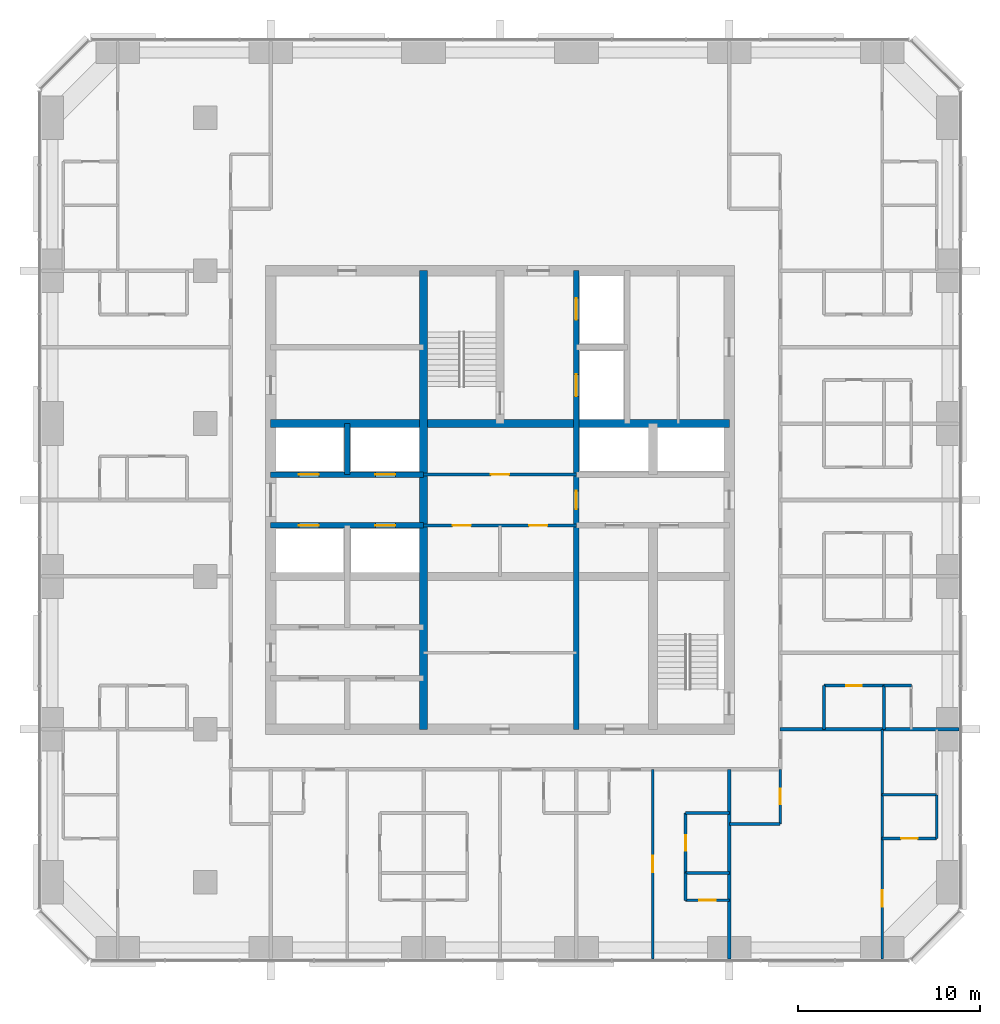
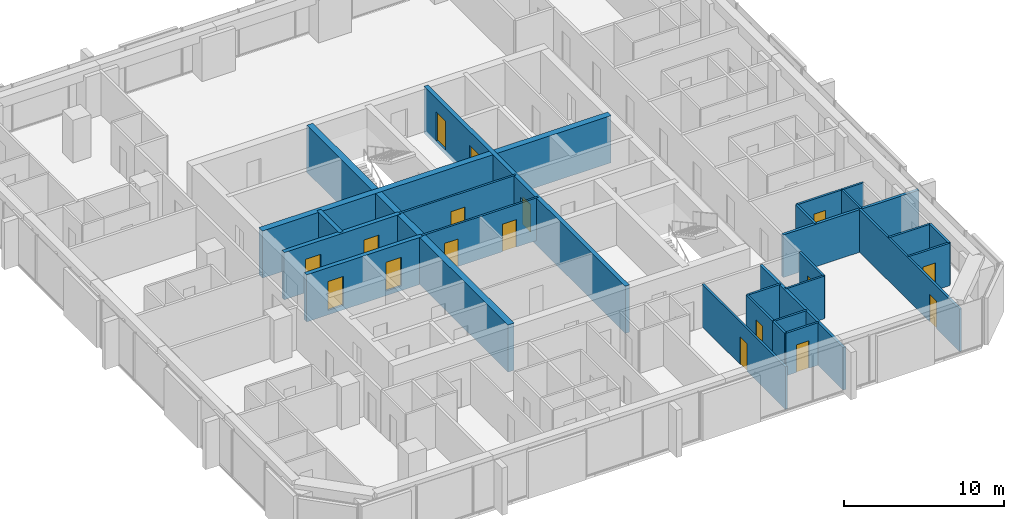
# One storey, part 10 of 14: 26 walls, 17 doors, 17 openings.
"""IFC4 building model written with IfcOpenShell, lengths in metres."""

from ifc_helpers import new_model, si_unit, direction, frame, frame_2d, origin, place, context, subcontext, project, spatial, rectangle, extrude, material, layer, layer_set, type_object, element, fill, save


model = new_model("IFC4")

# Units and contexts
model_context = context("Model", 3, precision=1e-05, world=origin(), true_north=direction((0.0, 1.0)))
body_context = subcontext(model_context, "Body", "Model", "MODEL_VIEW")
ifc_project = project(units=[si_unit("LENGTHUNIT", "METRE"), si_unit("AREAUNIT", "SQUARE_METRE"), si_unit("VOLUMEUNIT", "CUBIC_METRE"), si_unit("PLANEANGLEUNIT", "RADIAN"), si_unit("MASSUNIT", "GRAM", prefix="KILO")], contexts=[model_context])

# Site, building, storey
site_placement = place(None, origin())
site = spatial("IfcSite", under=ifc_project, at=site_placement, CompositionType="ELEMENT")
building_placement = place(site_placement, origin())
building = spatial("IfcBuilding", under=site, at=building_placement, Name="Dunama Terrace Hotel", CompositionType="ELEMENT")
storey_placement = place(building_placement, frame((0.0, 0.0, 180.60009765625)))
storey = spatial("IfcBuildingStorey", under=building, at=storey_placement, Name="L46", CompositionType="ELEMENT", Elevation=180.60009765625)

# Wall, opening, door
ifc_material_1 = material(Name="Gypsum board partition", Category="masonry")
ifc_layer_1 = layer(ifc_material_1, 0.14990234375)
ifc_layer_set_1 = layer_set([ifc_layer_1], Name="Bathroom partition 150")
wall_type_1 = type_object("IfcWallType", Name="Bathroom partition 150", PredefinedType="PARTITIONING", material=ifc_layer_set_1)
wall_1_placement = place(storey_placement, frame((39.60009765625, 8.89990234375, 0.0), z_axis=(0.0, 0.0, 1.0), x_axis=(0.0, 1.0, 0.0)))
wall_1 = element("IfcWall", 1, at=wall_1_placement, inside=storey, type_object=wall_type_1, Name="Bathroom partition 150 L46", PredefinedType="PARTITIONING", context=body_context, shape_type="SweptSolid", body=[
    extrude(rectangle(XDim=3.300048828125, YDim=0.14990234375, at=frame_2d((1.64990234375, 0.0))), origin(), (0.0, 0.0, 1.0), 3.25),
])
opening_1_placement = place(wall_1_placement, frame((1.22509765625, 0.0, 0.0)))
opening_1 = element("IfcOpeningElement", 2, at=opening_1_placement, cuts=wall_1, Name="Opening L46-47-022", PredefinedType="OPENING", context=body_context, shape_type="SweptSolid", body=[
    extrude(rectangle(XDim=0.85009765625, YDim=2.10009765625, at=frame_2d((0.425048828125, 1.050048828125))), frame((0.0, 0.0849609375, 0.0), z_axis=(0.0, -1.0, 0.0), x_axis=(1.0, 0.0, 0.0)), (0.0, 0.0, 1.0), 0.169921875),
])
ifc_material_2 = material(Name="Timber door with steel frame", Category="steel")
door_type_1 = type_object("IfcDoorType", Name="Bathroom door 850", OperationType="SINGLE_SWING_LEFT", PredefinedType="DOOR", material=ifc_material_2)
door_1_placement = place(opening_1_placement, frame((0.85009765625, 0.0, 0.0), z_axis=(0.0, 0.0, 1.0), x_axis=(-1.0, 0.0, 0.0)))
door_1 = element("IfcDoor", 3, at=door_1_placement, inside=storey, type_object=door_type_1, Name="Door to en-suite bathroom L46-47-022, type D2", OperationType="SINGLE_SWING_RIGHT", OverallHeight=2.10009765625, OverallWidth=0.85009765625, PredefinedType="DOOR", context=body_context, shape_type="SweptSolid", body=[
    extrude(rectangle(XDim=0.85009765625, YDim=2.10009765625, at=frame_2d((0.425048828125, 1.050048828125))), frame((0.0, 0.025146484375, 0.0), z_axis=(0.0, -1.0, 0.0), x_axis=(1.0, 0.0, 0.0)), (0.0, 0.0, 1.0), 0.050048828125),
])
fill(opening_1, door_1)

wall_2_placement = place(storey_placement, frame((44.800048828125, 11.60009765625, 0.0), z_axis=(0.0, 0.0, 1.0), x_axis=(0.0, 1.0, 0.0)))
wall_2 = element("IfcWall", 4, at=wall_2_placement, inside=storey, type_object=wall_type_1, Name="Bathroom partition 150 L46", PredefinedType="PARTITIONING", context=body_context, shape_type="SweptSolid", body=[
    extrude(rectangle(XDim=3.0, YDim=0.14990234375, at=frame_2d((1.5, 0.0))), origin(), (0.0, 0.0, 1.0), 3.25),
])
opening_2_placement = place(wall_2_placement, frame((1.074951171875, 0.0, 0.0)))
opening_2 = element("IfcOpeningElement", 5, at=opening_2_placement, cuts=wall_2, Name="Opening L46-47-058", PredefinedType="OPENING", context=body_context, shape_type="SweptSolid", body=[
    extrude(rectangle(XDim=0.85009765625, YDim=2.10009765625, at=frame_2d((0.425048828125, 1.050048828125))), frame((0.0, 0.0849609375, 0.0), z_axis=(0.0, -1.0, 0.0), x_axis=(1.0, 0.0, 0.0)), (0.0, 0.0, 1.0), 0.169921875),
])
door_2_placement = place(opening_2_placement, origin())
door_2 = element("IfcDoor", 6, at=door_2_placement, inside=storey, type_object=door_type_1, Name="Door to powder room L46-47-058, type D2", OperationType="SINGLE_SWING_RIGHT", OverallHeight=2.10009765625, OverallWidth=0.85009765625, PredefinedType="DOOR", context=body_context, shape_type="SweptSolid", body=[
    extrude(rectangle(XDim=0.85009765625, YDim=2.10009765625, at=frame_2d((0.425048828125, 1.050048828125))), frame((0.0, 0.02490234375, 0.0), z_axis=(0.0, -1.0, 0.0), x_axis=(1.0, 0.0, 0.0)), (0.0, 0.0, 1.0), 0.050048828125),
])
fill(opening_2, door_2)

# Walls
wall_3_placement = place(storey_placement, frame((47.199951171875, 16.800048828125, 0.0), z_axis=(0.0, 0.0, 1.0), x_axis=(0.0, 1.0, 0.0)))
element("IfcWall", 7, at=wall_3_placement, inside=storey, type_object=wall_type_1, Name="Bathroom partition 150 L46", PredefinedType="PARTITIONING", context=body_context, shape_type="SweptSolid", body=[
    extrude(rectangle(XDim=2.39990234375, YDim=0.14990234375, at=frame_2d((1.199951171875, 0.0))), origin(), (0.0, 0.0, 1.0), 3.25),
])
wall_4_placement = place(storey_placement, frame((42.0, 11.60009765625, 0.0), z_axis=(0.0, 0.0, 1.0), x_axis=(1.0, 0.0, 0.0)))
element("IfcWall", 8, at=wall_4_placement, inside=storey, type_object=wall_type_1, Name="Bathroom partition 150 L46", PredefinedType="PARTITIONING", context=body_context, shape_type="SweptSolid", body=[
    extrude(rectangle(XDim=2.800048828125, YDim=0.14990234375, at=frame_2d((1.39990234375, 0.0))), origin(), (0.0, 0.0, 1.0), 3.25),
])
wall_5_placement = place(storey_placement, frame((39.60009765625, 12.199951171875, 0.0), z_axis=(0.0, 0.0, 1.0), x_axis=(1.0, 0.0, 0.0)))
element("IfcWall", 9, at=wall_5_placement, inside=storey, type_object=wall_type_1, Name="Bathroom partition 150 L46", PredefinedType="PARTITIONING", context=body_context, shape_type="SweptSolid", body=[
    extrude(rectangle(XDim=2.39990234375, YDim=0.14990234375, at=frame_2d((1.199951171875, 0.0))), origin(), (0.0, 0.0, 1.0), 3.25),
])

# Wall, opening, door
wall_6_placement = place(storey_placement, frame((47.199951171875, 19.199951171875, 0.0), z_axis=(0.0, 0.0, 1.0), x_axis=(1.0, 0.0, 0.0)))
wall_6 = element("IfcWall", 10, at=wall_6_placement, inside=storey, type_object=wall_type_1, Name="Bathroom partition 150 L46", PredefinedType="PARTITIONING", context=body_context, shape_type="SweptSolid", body=[
    extrude(rectangle(XDim=3.300048828125, YDim=0.14990234375, at=frame_2d((1.64990234375, 0.0))), origin(), (0.0, 0.0, 1.0), 3.25),
])
opening_3_placement = place(wall_6_placement, frame((1.22509765625, 0.0, 0.0)))
opening_3 = element("IfcOpeningElement", 11, at=opening_3_placement, cuts=wall_6, Name="Opening L46-47-025", PredefinedType="OPENING", context=body_context, shape_type="SweptSolid", body=[
    extrude(rectangle(XDim=0.85009765625, YDim=2.10009765625, at=frame_2d((0.425048828125, 1.050048828125))), frame((0.0, 0.0849609375, 0.0), z_axis=(0.0, -1.0, 0.0), x_axis=(1.0, 0.0, 0.0)), (0.0, 0.0, 1.0), 0.169921875),
])
door_3_placement = place(opening_3_placement, frame((0.85009765625, 0.0, 0.0), z_axis=(0.0, 0.0, 1.0), x_axis=(-1.0, 0.0, 0.0)))
door_3 = element("IfcDoor", 12, at=door_3_placement, inside=storey, type_object=door_type_1, Name="Door to en-suite bathroom L46-47-025, type D2", OperationType="SINGLE_SWING_LEFT", OverallHeight=2.10009765625, OverallWidth=0.85009765625, PredefinedType="DOOR", context=body_context, shape_type="SweptSolid", body=[
    extrude(rectangle(XDim=0.85009765625, YDim=2.10009765625, at=frame_2d((0.425048828125, 1.050048828125))), frame((0.0, 0.025146484375, 0.0), z_axis=(0.0, -1.0, 0.0), x_axis=(1.0, 0.0, 0.0)), (0.0, 0.0, 1.0), 0.050048828125),
])
fill(opening_3, door_3)

# Wall
ifc_material_3 = material(Name="Concrete C50/60", Category="concrete")
ifc_layer_2 = layer(ifc_material_3, 0.300048828125)
ifc_layer_set_2 = layer_set([ifc_layer_2], Name="Core inner wall 300")
wall_type_2 = type_object("IfcWallType", Name="Core inner wall 300", PredefinedType="SHEAR", material=ifc_layer_set_2)
wall_7_placement = place(storey_placement, frame((21.0, 30.800048828125, -0.35009765625), z_axis=(0.0, 0.0, 1.0), x_axis=(0.0, 1.0, 0.0)))
element("IfcWall", 13, at=wall_7_placement, inside=storey, type_object=wall_type_2, Name="Core inner wall 300 L46", PredefinedType="SHEAR", context=body_context, shape_type="SweptSolid", body=[
    extrude(rectangle(XDim=2.800048828125, YDim=0.300048828125, at=frame_2d((1.39990234375, 0.0))), origin(), (0.0, 0.0, 1.0), 3.60009765625),
])

# Wall, openings, doors
wall_8_placement = place(storey_placement, frame((33.60009765625, 16.800048828125, -0.35009765625), z_axis=(0.0, 0.0, 1.0), x_axis=(0.0, 1.0, 0.0)))
wall_8 = element("IfcWall", 14, at=wall_8_placement, inside=storey, type_object=wall_type_2, Name="Core inner wall 300 L46", PredefinedType="SHEAR", context=body_context, shape_type="SweptSolid", body=[
    extrude(rectangle(XDim=25.199951171875, YDim=0.300048828125, at=frame_2d((12.60009765625, 0.0))), origin(), (0.0, 0.0, 1.0), 3.60009765625),
])
opening_4_placement = place(wall_8_placement, frame((22.5, 0.0, 0.35009765625)))
opening_4 = element("IfcOpeningElement", 15, at=opening_4_placement, cuts=wall_8, Name="Opening L46-47-007", PredefinedType="OPENING", context=body_context, shape_type="SweptSolid", body=[
    extrude(rectangle(XDim=1.199951171875, YDim=2.199951171875, at=frame_2d((0.60009765625, 1.10009765625))), frame((0.0, 0.159912109375, 0.0), z_axis=(0.0, -1.0, 0.0), x_axis=(1.0, 0.0, 0.0)), (0.0, 0.0, 1.0), 0.320068359375),
])
opening_5_placement = place(wall_8_placement, frame((18.300048828125, 0.0, 0.35009765625)))
opening_5 = element("IfcOpeningElement", 16, at=opening_5_placement, cuts=wall_8, Name="Opening L46-47-008", PredefinedType="OPENING", context=body_context, shape_type="SweptSolid", body=[
    extrude(rectangle(XDim=1.199951171875, YDim=2.199951171875, at=frame_2d((0.60009765625, 1.10009765625))), frame((0.0, 0.159912109375, 0.0), z_axis=(0.0, -1.0, 0.0), x_axis=(1.0, 0.0, 0.0)), (0.0, 0.0, 1.0), 0.320068359375),
])
opening_6_placement = place(wall_8_placement, frame((12.10009765625, 0.0, 0.35009765625)))
opening_6 = element("IfcOpeningElement", 17, at=opening_6_placement, cuts=wall_8, Name="Opening L46-47-080", PredefinedType="OPENING", context=body_context, shape_type="SweptSolid", body=[
    extrude(rectangle(XDim=1.0, YDim=2.10009765625, at=frame_2d((0.5, 1.050048828125))), frame((0.0, 0.159912109375, 0.0), z_axis=(0.0, -1.0, 0.0), x_axis=(1.0, 0.0, 0.0)), (0.0, 0.0, 1.0), 0.320068359375),
])
ifc_material_4 = material(Name="Stainless steel lift door", Category="steel")
door_type_2 = type_object("IfcDoorType", Name="Firefighting lift landing door 1200", OperationType="DOUBLE_DOOR_SLIDING", PredefinedType="DOOR", material=ifc_material_4)
door_4_placement = place(opening_4_placement, origin())
door_4 = element("IfcDoor", 18, at=door_4_placement, inside=storey, type_object=door_type_2, Name="Landing door FL1 L46-47-007, type LD2", OperationType="DOUBLE_DOOR_SLIDING", OverallHeight=2.199951171875, OverallWidth=1.199951171875, PredefinedType="DOOR", context=body_context, shape_type="SweptSolid", body=[
    extrude(rectangle(XDim=1.199951171875, YDim=2.199951171875, at=frame_2d((0.60009765625, 1.10009765625))), frame((0.0, 0.02490234375, 0.0), z_axis=(0.0, -1.0, 0.0), x_axis=(1.0, 0.0, 0.0)), (0.0, 0.0, 1.0), 0.050048828125),
])
fill(opening_4, door_4)
door_5_placement = place(opening_5_placement, origin())
door_5 = element("IfcDoor", 19, at=door_5_placement, inside=storey, type_object=door_type_2, Name="Landing door FL2 L46-47-008, type LD2", OperationType="DOUBLE_DOOR_SLIDING", OverallHeight=2.199951171875, OverallWidth=1.199951171875, PredefinedType="DOOR", context=body_context, shape_type="SweptSolid", body=[
    extrude(rectangle(XDim=1.199951171875, YDim=2.199951171875, at=frame_2d((0.60009765625, 1.10009765625))), frame((0.0, 0.02490234375, 0.0), z_axis=(0.0, -1.0, 0.0), x_axis=(1.0, 0.0, 0.0)), (0.0, 0.0, 1.0), 0.050048828125),
])
fill(opening_5, door_5)
ifc_material_5 = material(Name="Timber door with steel frame", Category="steel")
door_type_3 = type_object("IfcDoorType", Name="Service door 1000", OperationType="SINGLE_SWING_LEFT", PredefinedType="DOOR", material=ifc_material_5)
door_6_placement = place(opening_6_placement, origin())
door_6 = element("IfcDoor", 20, at=door_6_placement, inside=storey, type_object=door_type_3, Name="Door to staff passage L46-47-080, type D7", OperationType="SINGLE_SWING_LEFT", OverallHeight=2.10009765625, OverallWidth=1.0, PredefinedType="DOOR", context=body_context, shape_type="SweptSolid", body=[
    extrude(rectangle(XDim=1.0, YDim=2.10009765625, at=frame_2d((0.5, 1.050048828125))), frame((0.0, 0.02490234375, 0.0), z_axis=(0.0, -1.0, 0.0), x_axis=(1.0, 0.0, 0.0)), (0.0, 0.0, 1.0), 0.050048828125),
])
fill(opening_6, door_6)

wall_9_placement = place(storey_placement, frame((16.800048828125, 28.0, -0.35009765625), z_axis=(0.0, 0.0, 1.0), x_axis=(1.0, 0.0, 0.0)))
wall_9 = element("IfcWall", 21, at=wall_9_placement, inside=storey, type_object=wall_type_2, Name="Core inner wall 300 L46", PredefinedType="SHEAR", context=body_context, shape_type="SweptSolid", body=[
    extrude(rectangle(XDim=8.39990234375, YDim=0.300048828125, at=frame_2d((4.199951171875, 0.0))), origin(), (0.0, 0.0, 1.0), 3.60009765625),
])
opening_7_placement = place(wall_9_placement, frame((1.550048828125, 0.0, 0.35009765625)))
opening_7 = element("IfcOpeningElement", 22, at=opening_7_placement, cuts=wall_9, Name="Opening L46-47-003", PredefinedType="OPENING", context=body_context, shape_type="SweptSolid", body=[
    extrude(rectangle(XDim=1.10009765625, YDim=2.199951171875, at=frame_2d((0.550048828125, 1.10009765625))), frame((0.0, 0.159912109375, 0.0), z_axis=(0.0, -1.0, 0.0), x_axis=(1.0, 0.0, 0.0)), (0.0, 0.0, 1.0), 0.320068359375),
])
opening_8_placement = place(wall_9_placement, frame((5.75, 0.0, 0.35009765625)))
opening_8 = element("IfcOpeningElement", 23, at=opening_8_placement, cuts=wall_9, Name="Opening L46-47-004", PredefinedType="OPENING", context=body_context, shape_type="SweptSolid", body=[
    extrude(rectangle(XDim=1.10009765625, YDim=2.199951171875, at=frame_2d((0.550048828125, 1.10009765625))), frame((0.0, 0.159912109375, 0.0), z_axis=(0.0, -1.0, 0.0), x_axis=(1.0, 0.0, 0.0)), (0.0, 0.0, 1.0), 0.320068359375),
])
ifc_material_6 = material(Name="Stainless steel lift door", Category="steel")
door_type_4 = type_object("IfcDoorType", Name="Lift landing door 1100", OperationType="DOUBLE_DOOR_SLIDING", PredefinedType="DOOR", material=ifc_material_6)
door_7_placement = place(opening_7_placement, origin())
door_7 = element("IfcDoor", 24, at=door_7_placement, inside=storey, type_object=door_type_4, Name="Landing door PC1 L46-47-003, type LD1", OperationType="DOUBLE_DOOR_SLIDING", OverallHeight=2.199951171875, OverallWidth=1.10009765625, PredefinedType="DOOR", context=body_context, shape_type="SweptSolid", body=[
    extrude(rectangle(XDim=1.10009765625, YDim=2.199951171875, at=frame_2d((0.550048828125, 1.10009765625))), frame((0.0, 0.02490234375, 0.0), z_axis=(0.0, -1.0, 0.0), x_axis=(1.0, 0.0, 0.0)), (0.0, 0.0, 1.0), 0.050048828125),
])
fill(opening_7, door_7)
door_8_placement = place(opening_8_placement, origin())
door_8 = element("IfcDoor", 25, at=door_8_placement, inside=storey, type_object=door_type_4, Name="Landing door PC2 L46-47-004, type LD1", OperationType="DOUBLE_DOOR_SLIDING", OverallHeight=2.199951171875, OverallWidth=1.10009765625, PredefinedType="DOOR", context=body_context, shape_type="SweptSolid", body=[
    extrude(rectangle(XDim=1.10009765625, YDim=2.199951171875, at=frame_2d((0.550048828125, 1.10009765625))), frame((0.0, 0.02490234375, 0.0), z_axis=(0.0, -1.0, 0.0), x_axis=(1.0, 0.0, 0.0)), (0.0, 0.0, 1.0), 0.050048828125),
])
fill(opening_8, door_8)

wall_10_placement = place(storey_placement, frame((16.800048828125, 30.800048828125, -0.35009765625), z_axis=(0.0, 0.0, 1.0), x_axis=(1.0, 0.0, 0.0)))
wall_10 = element("IfcWall", 26, at=wall_10_placement, inside=storey, type_object=wall_type_2, Name="Core inner wall 300 L46", PredefinedType="SHEAR", context=body_context, shape_type="SweptSolid", body=[
    extrude(rectangle(XDim=8.39990234375, YDim=0.300048828125, at=frame_2d((4.199951171875, 0.0))), origin(), (0.0, 0.0, 1.0), 3.60009765625),
])
opening_9_placement = place(wall_10_placement, frame((1.550048828125, 0.0, 0.35009765625)))
opening_9 = element("IfcOpeningElement", 27, at=opening_9_placement, cuts=wall_10, Name="Opening L46-47-005", PredefinedType="OPENING", context=body_context, shape_type="SweptSolid", body=[
    extrude(rectangle(XDim=1.10009765625, YDim=2.199951171875, at=frame_2d((0.550048828125, 1.10009765625))), frame((0.0, 0.159912109375, 0.0), z_axis=(0.0, -1.0, 0.0), x_axis=(1.0, 0.0, 0.0)), (0.0, 0.0, 1.0), 0.320068359375),
])
opening_10_placement = place(wall_10_placement, frame((5.75, 0.0, 0.35009765625)))
opening_10 = element("IfcOpeningElement", 28, at=opening_10_placement, cuts=wall_10, Name="Opening L46-47-006", PredefinedType="OPENING", context=body_context, shape_type="SweptSolid", body=[
    extrude(rectangle(XDim=1.10009765625, YDim=2.199951171875, at=frame_2d((0.550048828125, 1.10009765625))), frame((0.0, 0.159912109375, 0.0), z_axis=(0.0, -1.0, 0.0), x_axis=(1.0, 0.0, 0.0)), (0.0, 0.0, 1.0), 0.320068359375),
])
door_9_placement = place(opening_9_placement, origin())
door_9 = element("IfcDoor", 29, at=door_9_placement, inside=storey, type_object=door_type_4, Name="Landing door PC3 L46-47-005, type LD1", OperationType="DOUBLE_DOOR_SLIDING", OverallHeight=2.199951171875, OverallWidth=1.10009765625, PredefinedType="DOOR", context=body_context, shape_type="SweptSolid", body=[
    extrude(rectangle(XDim=1.10009765625, YDim=2.199951171875, at=frame_2d((0.550048828125, 1.10009765625))), frame((0.0, 0.02490234375, 0.0), z_axis=(0.0, -1.0, 0.0), x_axis=(1.0, 0.0, 0.0)), (0.0, 0.0, 1.0), 0.050048828125),
])
fill(opening_9, door_9)
door_10_placement = place(opening_10_placement, origin())
door_10 = element("IfcDoor", 30, at=door_10_placement, inside=storey, type_object=door_type_4, Name="Landing door PC4 L46-47-006, type LD1", OperationType="DOUBLE_DOOR_SLIDING", OverallHeight=2.199951171875, OverallWidth=1.10009765625, PredefinedType="DOOR", context=body_context, shape_type="SweptSolid", body=[
    extrude(rectangle(XDim=1.10009765625, YDim=2.199951171875, at=frame_2d((0.550048828125, 1.10009765625))), frame((0.0, 0.02490234375, 0.0), z_axis=(0.0, -1.0, 0.0), x_axis=(1.0, 0.0, 0.0)), (0.0, 0.0, 1.0), 0.050048828125),
])
fill(opening_10, door_10)

# Walls
ifc_material_7 = material(Name="Concrete C50/60", Category="concrete")
ifc_layer_3 = layer(ifc_material_7, 0.449951171875)
ifc_layer_set_3 = layer_set([ifc_layer_3], Name="Core inner wall 450")
wall_type_3 = type_object("IfcWallType", Name="Core inner wall 450", PredefinedType="SHEAR", material=ifc_layer_set_3)
for number, where, z_axis, x_axis, name in (
    (31, (25.199951171875, 16.800048828125, -0.35009765625), (0.0, 0.0, 1.0), (0.0, 1.0, 0.0), "Core inner wall 450 L46"),
    (32, (16.800048828125, 33.60009765625, -0.35009765625), (0.0, 0.0, 1.0), (1.0, 0.0, 0.0), "Core inner wall 450 L46"),
):
    element("IfcWall", number, at=place(storey_placement, frame(where, z_axis=z_axis, x_axis=x_axis)), inside=storey, type_object=wall_type_3, Name=name, PredefinedType="SHEAR", context=body_context, shape_type="SweptSolid", body=[
        extrude(rectangle(XDim=25.199951171875, YDim=0.449951171875, at=frame_2d((12.60009765625, 0.0))), origin(), (0.0, 0.0, 1.0), 3.60009765625),
    ])
ifc_material_8 = material(Name="Concrete blockwork", Category="masonry")
ifc_layer_4 = layer(ifc_material_8, 0.199951171875)
ifc_layer_set_4 = layer_set([ifc_layer_4], Name="Party wall 200")
wall_type_4 = type_object("IfcWallType", Name="Party wall 200", PredefinedType="PARTITIONING", material=ifc_layer_set_4)
wall_11_placement = place(storey_placement, frame((42.0, 4.181884765625, 0.0), z_axis=(0.0, 0.0, 1.0), x_axis=(0.0, 1.0, 0.0)))
element("IfcWall", 33, at=wall_11_placement, inside=storey, type_object=wall_type_4, Name="Party wall 200 L46", PredefinedType="PARTITIONING", context=body_context, shape_type="SweptSolid", body=[
    extrude(rectangle(XDim=10.418212890625, YDim=0.199951171875, at=frame_2d((5.208984375, 0.0))), origin(), (0.0, 0.0, 1.0), 3.25),
])
wall_12_placement = place(storey_placement, frame((44.800048828125, 16.800048828125, 0.0), z_axis=(0.0, 0.0, 1.0), x_axis=(1.0, 0.0, 0.0)))
element("IfcWall", 34, at=wall_12_placement, inside=storey, type_object=wall_type_4, Name="Party wall 200 L46", PredefinedType="PARTITIONING", context=body_context, shape_type="SweptSolid", body=[
    extrude(rectangle(XDim=9.81787109375, YDim=0.199951171875, at=frame_2d((4.908935546875, 0.0))), origin(), (0.0, 0.0, 1.0), 3.25),
])

# Wall, opening, door
ifc_material_9 = material(Name="Gypsum board partition", Category="masonry")
ifc_layer_5 = layer(ifc_material_9, 0.14990234375)
ifc_layer_set_5 = layer_set([ifc_layer_5], Name="Room partition 150")
wall_type_5 = type_object("IfcWallType", Name="Room partition 150", PredefinedType="PARTITIONING", material=ifc_layer_set_5)
wall_13_placement = place(storey_placement, frame((37.800048828125, 4.181884765625, 0.0), z_axis=(0.0, 0.0, 1.0), x_axis=(0.0, 1.0, 0.0)))
wall_13 = element("IfcWall", 35, at=wall_13_placement, inside=storey, type_object=wall_type_5, Name="Room partition 150 L46", PredefinedType="PARTITIONING", context=body_context, shape_type="SweptSolid", body=[
    extrude(rectangle(XDim=10.418212890625, YDim=0.14990234375, at=frame_2d((5.208984375, 0.0))), origin(), (0.0, 0.0, 1.0), 3.25),
])
opening_11_placement = place(wall_13_placement, frame((4.76806640625, 0.0, 0.0)))
opening_11 = element("IfcOpeningElement", 36, at=opening_11_placement, cuts=wall_13, Name="Opening L46-47-021", PredefinedType="OPENING", context=body_context, shape_type="SweptSolid", body=[
    extrude(rectangle(XDim=0.89990234375, YDim=2.10009765625, at=frame_2d((0.449951171875, 1.050048828125))), frame((0.0, 0.0849609375, 0.0), z_axis=(0.0, -1.0, 0.0), x_axis=(1.0, 0.0, 0.0)), (0.0, 0.0, 1.0), 0.169921875),
])
ifc_material_10 = material(Name="Timber door with steel frame", Category="steel")
door_type_5 = type_object("IfcDoorType", Name="Suite internal door 900", OperationType="SINGLE_SWING_LEFT", PredefinedType="DOOR", material=ifc_material_10)
door_11_placement = place(opening_11_placement, frame((0.89990234375, 0.0, 0.0), z_axis=(0.0, 0.0, 1.0), x_axis=(-1.0, 0.0, 0.0)))
door_11 = element("IfcDoor", 37, at=door_11_placement, inside=storey, type_object=door_type_5, Name="Door to executive club suite bedroom L46-47-021, type D16", OperationType="SINGLE_SWING_RIGHT", OverallHeight=2.10009765625, OverallWidth=0.89990234375, PredefinedType="DOOR", context=body_context, shape_type="SweptSolid", body=[
    extrude(rectangle(XDim=0.89990234375, YDim=2.10009765625, at=frame_2d((0.449951171875, 1.050048828125))), frame((0.0, 0.025146484375, 0.0), z_axis=(0.0, -1.0, 0.0), x_axis=(1.0, 0.0, 0.0)), (0.0, 0.0, 1.0), 0.050048828125),
])
fill(opening_11, door_11)

# Wall
wall_14_placement = place(storey_placement, frame((39.60009765625, 7.39990234375, 0.0), z_axis=(0.0, 0.0, 1.0), x_axis=(0.0, 1.0, 0.0)))
element("IfcWall", 38, at=wall_14_placement, inside=storey, type_object=wall_type_5, Name="Room partition 150 L46", PredefinedType="PARTITIONING", context=body_context, shape_type="SweptSolid", body=[
    extrude(rectangle(XDim=1.5, YDim=0.14990234375, at=frame_2d((0.75, 0.0))), origin(), (0.0, 0.0, 1.0), 3.25),
])

# Wall, opening, door
wall_15_placement = place(storey_placement, frame((50.39990234375, 4.181884765625, 0.0), z_axis=(0.0, 0.0, 1.0), x_axis=(0.0, 1.0, 0.0)))
wall_15 = element("IfcWall", 39, at=wall_15_placement, inside=storey, type_object=wall_type_5, Name="Room partition 150 L46", PredefinedType="PARTITIONING", context=body_context, shape_type="SweptSolid", body=[
    extrude(rectangle(XDim=12.6181640625, YDim=0.14990234375, at=frame_2d((6.30908203125, 0.0))), origin(), (0.0, 0.0, 1.0), 3.25),
])
opening_12_placement = place(wall_15_placement, frame((2.867919921875, 0.0, 0.0)))
opening_12 = element("IfcOpeningElement", 40, at=opening_12_placement, cuts=wall_15, Name="Opening L46-47-059", PredefinedType="OPENING", context=body_context, shape_type="SweptSolid", body=[
    extrude(rectangle(XDim=0.89990234375, YDim=2.10009765625, at=frame_2d((0.449951171875, 1.050048828125))), frame((0.0, 0.0849609375, 0.0), z_axis=(0.0, -1.0, 0.0), x_axis=(1.0, 0.0, 0.0)), (0.0, 0.0, 1.0), 0.169921875),
])
door_12_placement = place(opening_12_placement, frame((0.89990234375, 0.0, 0.0), z_axis=(0.0, 0.0, 1.0), x_axis=(-1.0, 0.0, 0.0)))
door_12 = element("IfcDoor", 41, at=door_12_placement, inside=storey, type_object=door_type_5, Name="Door to corner suite bedroom L46-47-059, type D16", OperationType="SINGLE_SWING_RIGHT", OverallHeight=2.10009765625, OverallWidth=0.89990234375, PredefinedType="DOOR", context=body_context, shape_type="SweptSolid", body=[
    extrude(rectangle(XDim=0.89990234375, YDim=2.10009765625, at=frame_2d((0.449951171875, 1.050048828125))), frame((0.0, 0.025146484375, 0.0), z_axis=(0.0, -1.0, 0.0), x_axis=(1.0, 0.0, 0.0)), (0.0, 0.0, 1.0), 0.050048828125),
])
fill(opening_12, door_12)

# Walls
for number, where, z_axis, x_axis, name in (
    (42, (50.5, 16.800048828125, 0.0), (0.0, 0.0, 1.0), (0.0, 1.0, 0.0), "Room partition 150 L46"),
    (43, (53.39990234375, 10.800048828125, 0.0), (0.0, 0.0, 1.0), (0.0, 1.0, 0.0), "Room partition 150 L46"),
):
    element("IfcWall", number, at=place(storey_placement, frame(where, z_axis=z_axis, x_axis=x_axis)), inside=storey, type_object=wall_type_5, Name=name, PredefinedType="PARTITIONING", context=body_context, shape_type="SweptSolid", body=[
        extrude(rectangle(XDim=2.39990234375, YDim=0.14990234375, at=frame_2d((1.199951171875, 0.0))), origin(), (0.0, 0.0, 1.0), 3.25),
    ])

# Wall, opening, door
wall_16_placement = place(storey_placement, frame((39.60009765625, 7.39990234375, 0.0), z_axis=(0.0, 0.0, 1.0), x_axis=(1.0, 0.0, 0.0)))
wall_16 = element("IfcWall", 44, at=wall_16_placement, inside=storey, type_object=wall_type_5, Name="Room partition 150 L46", PredefinedType="PARTITIONING", context=body_context, shape_type="SweptSolid", body=[
    extrude(rectangle(XDim=2.39990234375, YDim=0.14990234375, at=frame_2d((1.199951171875, 0.0))), origin(), (0.0, 0.0, 1.0), 3.25),
])
opening_13_placement = place(wall_16_placement, frame((0.75, 0.0, 0.0)))
opening_13 = element("IfcOpeningElement", 45, at=opening_13_placement, cuts=wall_16, Name="Opening L46-47-023", PredefinedType="OPENING", context=body_context, shape_type="SweptSolid", body=[
    extrude(rectangle(XDim=0.89990234375, YDim=2.10009765625, at=frame_2d((0.449951171875, 1.050048828125))), frame((0.0, 0.0849609375, 0.0), z_axis=(0.0, -1.0, 0.0), x_axis=(1.0, 0.0, 0.0)), (0.0, 0.0, 1.0), 0.169921875),
])
door_13_placement = place(opening_13_placement, origin())
door_13 = element("IfcDoor", 46, at=door_13_placement, inside=storey, type_object=door_type_5, Name="Door to walk-in wardrobe L46-47-023, type D16", OperationType="SINGLE_SWING_LEFT", OverallHeight=2.10009765625, OverallWidth=0.89990234375, PredefinedType="DOOR", context=body_context, shape_type="SweptSolid", body=[
    extrude(rectangle(XDim=0.89990234375, YDim=2.10009765625, at=frame_2d((0.449951171875, 1.050048828125))), frame((0.0, 0.02490234375, 0.0), z_axis=(0.0, -1.0, 0.0), x_axis=(1.0, 0.0, 0.0)), (0.0, 0.0, 1.0), 0.050048828125),
])
fill(opening_13, door_13)

# Wall
wall_17_placement = place(storey_placement, frame((39.60009765625, 8.89990234375, 0.0), z_axis=(0.0, 0.0, 1.0), x_axis=(1.0, 0.0, 0.0)))
element("IfcWall", 47, at=wall_17_placement, inside=storey, type_object=wall_type_5, Name="Room partition 150 L46", PredefinedType="PARTITIONING", context=body_context, shape_type="SweptSolid", body=[
    extrude(rectangle(XDim=2.39990234375, YDim=0.14990234375, at=frame_2d((1.199951171875, 0.0))), origin(), (0.0, 0.0, 1.0), 3.25),
])

# Wall, opening, door
wall_18_placement = place(storey_placement, frame((50.39990234375, 10.800048828125, 0.0), z_axis=(0.0, 0.0, 1.0), x_axis=(1.0, 0.0, 0.0)))
wall_18 = element("IfcWall", 48, at=wall_18_placement, inside=storey, type_object=wall_type_5, Name="Room partition 150 L46", PredefinedType="PARTITIONING", context=body_context, shape_type="SweptSolid", body=[
    extrude(rectangle(XDim=3.0, YDim=0.14990234375, at=frame_2d((1.5, 0.0))), origin(), (0.0, 0.0, 1.0), 3.25),
])
opening_14_placement = place(wall_18_placement, frame((1.050048828125, 0.0, 0.0)))
opening_14 = element("IfcOpeningElement", 49, at=opening_14_placement, cuts=wall_18, Name="Opening L46-47-061", PredefinedType="OPENING", context=body_context, shape_type="SweptSolid", body=[
    extrude(rectangle(XDim=0.89990234375, YDim=2.10009765625, at=frame_2d((0.449951171875, 1.050048828125))), frame((0.0, 0.0849609375, 0.0), z_axis=(0.0, -1.0, 0.0), x_axis=(1.0, 0.0, 0.0)), (0.0, 0.0, 1.0), 0.169921875),
])
door_14_placement = place(opening_14_placement, origin())
door_14 = element("IfcDoor", 50, at=door_14_placement, inside=storey, type_object=door_type_5, Name="Door to dressing room L46-47-061, type D16", OperationType="SINGLE_SWING_LEFT", OverallHeight=2.10009765625, OverallWidth=0.89990234375, PredefinedType="DOOR", context=body_context, shape_type="SweptSolid", body=[
    extrude(rectangle(XDim=0.89990234375, YDim=2.10009765625, at=frame_2d((0.449951171875, 1.050048828125))), frame((0.0, 0.02490234375, 0.0), z_axis=(0.0, -1.0, 0.0), x_axis=(1.0, 0.0, 0.0)), (0.0, 0.0, 1.0), 0.050048828125),
])
fill(opening_14, door_14)

# Walls
wall_19_placement = place(storey_placement, frame((50.39990234375, 13.199951171875, 0.0), z_axis=(0.0, 0.0, 1.0), x_axis=(1.0, 0.0, 0.0)))
element("IfcWall", 51, at=wall_19_placement, inside=storey, type_object=wall_type_5, Name="Room partition 150 L46", PredefinedType="PARTITIONING", context=body_context, shape_type="SweptSolid", body=[
    extrude(rectangle(XDim=3.0, YDim=0.14990234375, at=frame_2d((1.5, 0.0))), origin(), (0.0, 0.0, 1.0), 3.25),
])
wall_20_placement = place(storey_placement, frame((50.5, 19.199951171875, 0.0), z_axis=(0.0, 0.0, 1.0), x_axis=(1.0, 0.0, 0.0)))
element("IfcWall", 52, at=wall_20_placement, inside=storey, type_object=wall_type_5, Name="Room partition 150 L46", PredefinedType="PARTITIONING", context=body_context, shape_type="SweptSolid", body=[
    extrude(rectangle(XDim=1.5, YDim=0.14990234375, at=frame_2d((0.75, 0.0))), origin(), (0.0, 0.0, 1.0), 3.25),
])

# Wall, openings, doors
wall_21_placement = place(storey_placement, frame((25.199951171875, 28.0, 0.0), z_axis=(0.0, 0.0, 1.0), x_axis=(1.0, 0.0, 0.0)))
wall_21 = element("IfcWall", 53, at=wall_21_placement, inside=storey, type_object=wall_type_5, Name="Room partition 150 L46", PredefinedType="PARTITIONING", context=body_context, shape_type="SweptSolid", body=[
    extrude(rectangle(XDim=8.400146484375, YDim=0.14990234375, at=frame_2d((4.2001953125, 0.0))), origin(), (0.0, 0.0, 1.0), 3.25),
])
opening_15_placement = place(wall_21_placement, frame((5.800048828125, 0.0, 0.0)))
opening_15 = element("IfcOpeningElement", 54, at=opening_15_placement, cuts=wall_21, Name="Opening L46-47-081", PredefinedType="OPENING", context=body_context, shape_type="SweptSolid", body=[
    extrude(rectangle(XDim=1.0, YDim=2.10009765625, at=frame_2d((0.5, 1.050048828125))), frame((0.0, 0.0849609375, 0.0), z_axis=(0.0, -1.0, 0.0), x_axis=(1.0, 0.0, 0.0)), (0.0, 0.0, 1.0), 0.169921875),
])
opening_16_placement = place(wall_21_placement, frame((1.60009765625, 0.0, 0.0)))
opening_16 = element("IfcOpeningElement", 55, at=opening_16_placement, cuts=wall_21, Name="Opening L46-47-082", PredefinedType="OPENING", context=body_context, shape_type="SweptSolid", body=[
    extrude(rectangle(XDim=1.0, YDim=2.10009765625, at=frame_2d((0.5, 1.050048828125))), frame((0.0, 0.0849609375, 0.0), z_axis=(0.0, -1.0, 0.0), x_axis=(1.0, 0.0, 0.0)), (0.0, 0.0, 1.0), 0.169921875),
])
door_15_placement = place(opening_15_placement, frame((1.0, 0.0, 0.0), z_axis=(0.0, 0.0, 1.0), x_axis=(-1.0, 0.0, 0.0)))
door_15 = element("IfcDoor", 56, at=door_15_placement, inside=storey, type_object=door_type_3, Name="Door to staff locker room L46-47-081, type D7", OperationType="SINGLE_SWING_LEFT", OverallHeight=2.10009765625, OverallWidth=1.0, PredefinedType="DOOR", context=body_context, shape_type="SweptSolid", body=[
    extrude(rectangle(XDim=1.0, YDim=2.10009765625, at=frame_2d((0.5, 1.050048828125))), frame((0.0, 0.025146484375, 0.0), z_axis=(0.0, -1.0, 0.0), x_axis=(1.0, 0.0, 0.0)), (0.0, 0.0, 1.0), 0.050048828125),
])
fill(opening_15, door_15)
door_16_placement = place(opening_16_placement, frame((1.0, 0.0, 0.0), z_axis=(0.0, 0.0, 1.0), x_axis=(-1.0, 0.0, 0.0)))
door_16 = element("IfcDoor", 57, at=door_16_placement, inside=storey, type_object=door_type_3, Name="Door to staff break room L46-47-082, type D7", OperationType="SINGLE_SWING_RIGHT", OverallHeight=2.10009765625, OverallWidth=1.0, PredefinedType="DOOR", context=body_context, shape_type="SweptSolid", body=[
    extrude(rectangle(XDim=1.0, YDim=2.10009765625, at=frame_2d((0.5, 1.050048828125))), frame((0.0, 0.025146484375, 0.0), z_axis=(0.0, -1.0, 0.0), x_axis=(1.0, 0.0, 0.0)), (0.0, 0.0, 1.0), 0.050048828125),
])
fill(opening_16, door_16)

# Wall, opening, door
wall_22_placement = place(storey_placement, frame((25.199951171875, 30.800048828125, 0.0), z_axis=(0.0, 0.0, 1.0), x_axis=(1.0, 0.0, 0.0)))
wall_22 = element("IfcWall", 58, at=wall_22_placement, inside=storey, type_object=wall_type_5, Name="Room partition 150 L46", PredefinedType="PARTITIONING", context=body_context, shape_type="SweptSolid", body=[
    extrude(rectangle(XDim=8.400146484375, YDim=0.14990234375, at=frame_2d((4.2001953125, 0.0))), origin(), (0.0, 0.0, 1.0), 3.25),
])
opening_17_placement = place(wall_22_placement, frame((3.699951171875, 0.0, 0.0)))
opening_17 = element("IfcOpeningElement", 59, at=opening_17_placement, cuts=wall_22, Name="Opening L46-47-083", PredefinedType="OPENING", context=body_context, shape_type="SweptSolid", body=[
    extrude(rectangle(XDim=1.0, YDim=2.10009765625, at=frame_2d((0.5, 1.050048828125))), frame((0.0, 0.0849609375, 0.0), z_axis=(0.0, -1.0, 0.0), x_axis=(1.0, 0.0, 0.0)), (0.0, 0.0, 1.0), 0.169921875),
])
door_17_placement = place(opening_17_placement, origin())
door_17 = element("IfcDoor", 60, at=door_17_placement, inside=storey, type_object=door_type_3, Name="Door to housekeeping store L46-47-083, type D7", OperationType="SINGLE_SWING_LEFT", OverallHeight=2.10009765625, OverallWidth=1.0, PredefinedType="DOOR", context=body_context, shape_type="SweptSolid", body=[
    extrude(rectangle(XDim=1.0, YDim=2.10009765625, at=frame_2d((0.5, 1.050048828125))), frame((0.0, 0.02490234375, 0.0), z_axis=(0.0, -1.0, 0.0), x_axis=(1.0, 0.0, 0.0)), (0.0, 0.0, 1.0), 0.050048828125),
])
fill(opening_17, door_17)

save(model, "model.ifc")
